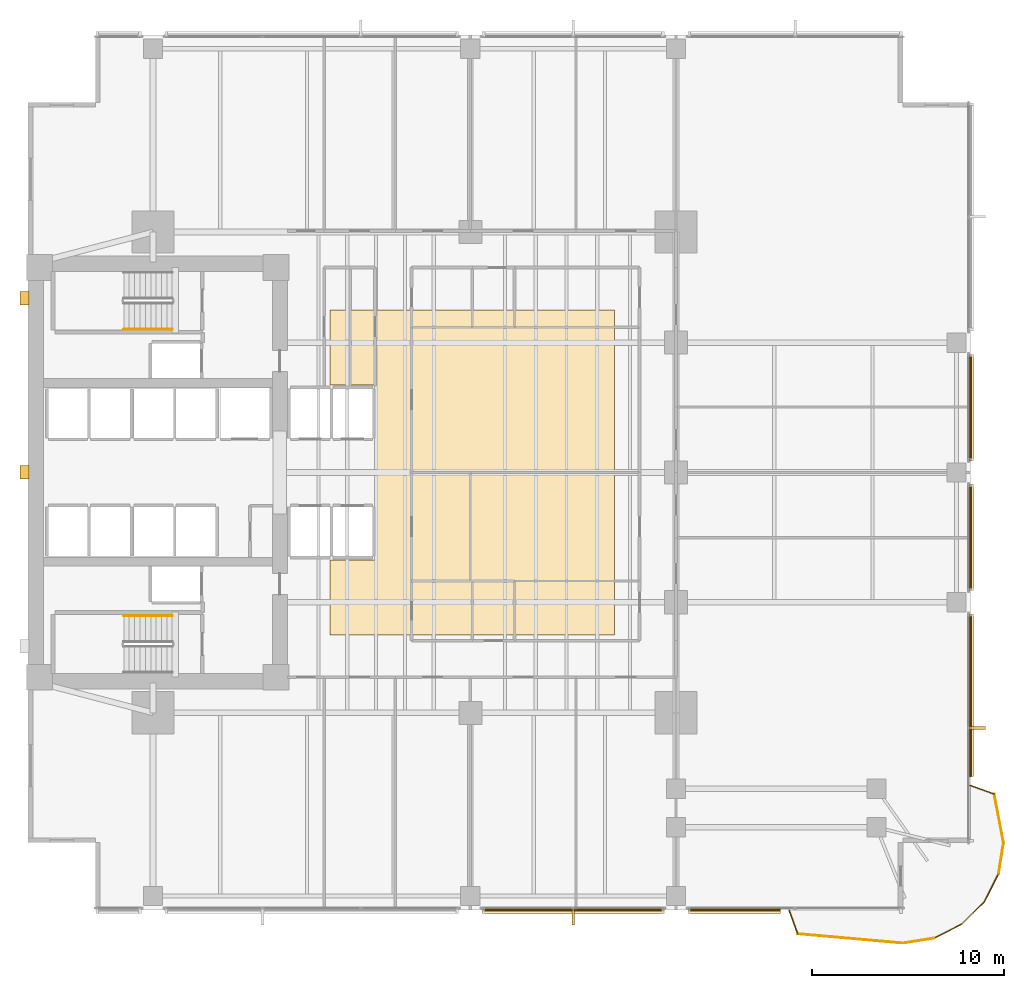
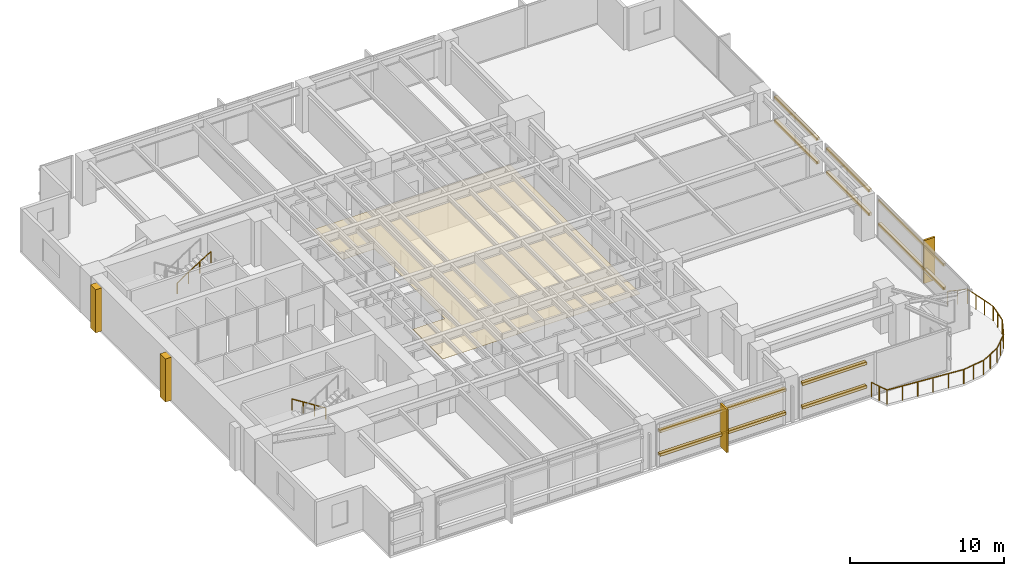
# One storey, part 13 of 15: 15 coverings, 11 railings, 10 shading devices.
"""IFC4 building model written with IfcOpenShell, lengths in metres."""

from ifc_helpers import new_model, si_unit, direction, frame, origin, origin_2d, place, context, subcontext, project, spatial, polyline, rectangle, circle, outline, extrude, material, layer, layer_set, material_profile, profile_set, type_object, element, save


model = new_model("IFC4")

# Units and contexts
model_context = context("Model", 3, precision=1e-05, world=origin(), true_north=direction((0.0, 1.0)))
body_context = subcontext(model_context, "Body", "Model", "MODEL_VIEW")
ifc_project = project(units=[si_unit("LENGTHUNIT", "METRE"), si_unit("AREAUNIT", "SQUARE_METRE"), si_unit("VOLUMEUNIT", "CUBIC_METRE"), si_unit("PLANEANGLEUNIT", "RADIAN"), si_unit("MASSUNIT", "GRAM", prefix="KILO")], contexts=[model_context])

# Site, building, storey
site_placement = place(None, origin())
site = spatial("IfcSite", under=ifc_project, at=site_placement, CompositionType="ELEMENT")
building_placement = place(site_placement, origin())
building = spatial("IfcBuilding", under=site, at=building_placement, Name="Kinhvarn Gate Tower", CompositionType="ELEMENT")
storey_placement = place(building_placement, frame((0.0, 0.0, 57.550048828125)))
storey = spatial("IfcBuildingStorey", under=building, at=storey_placement, Name="L14", CompositionType="ELEMENT", Elevation=57.550048828125)

# Coverings
ifc_material_1 = material(Name="Fired architectural terracotta", Category="masonry")
ifc_layer_1 = layer(ifc_material_1, 0.239990234375)
ifc_layer_set_1 = layer_set([ifc_layer_1], Name="Fired architectural terracotta")
covering_type_1 = type_object("IfcCoveringType", Name="COV-BAG-220", PredefinedType="CLADDING", material=ifc_layer_set_1)
for number, where, name in (
    (1, (0.0, 0.0, 0.93994140625), "Terracotta Horizontal Sunscreen Band TBG-220 (L14)"),
    (2, (0.0, 0.0, 2.81005859375), "Terracotta Horizontal Sunscreen Band TBG-220 (L14)"),
):
    element("IfcCovering", number, at=place(storey_placement, frame(where)), inside=storey, type_object=covering_type_1, Name=name, PredefinedType="CLADDING", context=body_context, shape_type="SweptSolid", body=[
        extrude(outline(polyline([(28.1201171875, 2.56005859375), (37.580078125, 2.56005859375), (37.580078125, 2.320068359375), (28.1201171875, 2.320068359375), (28.1201171875, 2.56005859375)])), origin(), (0.0, 0.0, 1.0), 0.219970703125),
    ])
for number, where, name in (
    (3, (0.0, 0.0, 0.93994140625), "Terracotta Horizontal Sunscreen Band TBG-220 (L14)"),
    (4, (0.0, 0.0, 2.81005859375), "Terracotta Horizontal Sunscreen Band TBG-220 (L14)"),
):
    element("IfcCovering", number, at=place(storey_placement, frame(where)), inside=storey, type_object=covering_type_1, Name=name, PredefinedType="CLADDING", context=body_context, shape_type="SweptSolid", body=[
        extrude(outline(polyline([(38.820068359375, 2.56005859375), (43.623046875, 2.56005859375), (43.623046875, 2.320068359375), (38.820068359375, 2.320068359375), (38.820068359375, 2.56005859375)])), origin(), (0.0, 0.0, 1.0), 0.219970703125),
    ])
for number, where, name in (
    (5, (0.0, 0.0, 0.93994140625), "Terracotta Horizontal Sunscreen Band TBG-220 (L14)"),
    (6, (0.0, 0.0, 2.81005859375), "Terracotta Horizontal Sunscreen Band TBG-220 (L14)"),
):
    element("IfcCovering", number, at=place(storey_placement, frame(where)), inside=storey, type_object=covering_type_1, Name=name, PredefinedType="CLADDING", context=body_context, shape_type="SweptSolid", body=[
        extrude(outline(polyline([(53.43994140625, 9.426025390625), (53.43994140625, 17.8798828125), (53.679931640625, 17.8798828125), (53.679931640625, 9.426025390625), (53.43994140625, 9.426025390625)])), origin(), (0.0, 0.0, 1.0), 0.219970703125),
    ])
for number, where, name in (
    (7, (0.0, 0.0, 0.93994140625), "Terracotta Horizontal Sunscreen Band TBG-220 (L14)"),
    (8, (0.0, 0.0, 2.81005859375), "Terracotta Horizontal Sunscreen Band TBG-220 (L14)"),
):
    element("IfcCovering", number, at=place(storey_placement, frame(where)), inside=storey, type_object=covering_type_1, Name=name, PredefinedType="CLADDING", context=body_context, shape_type="SweptSolid", body=[
        extrude(outline(polyline([(53.43994140625, 19.1201171875), (53.43994140625, 24.6298828125), (53.679931640625, 24.6298828125), (53.679931640625, 19.1201171875), (53.43994140625, 19.1201171875)])), origin(), (0.0, 0.0, 1.0), 0.219970703125),
    ])
for number, where, name in (
    (9, (0.0, 0.0, 0.93994140625), "Terracotta Horizontal Sunscreen Band TBG-220 (L14)"),
    (10, (0.0, 0.0, 2.81005859375), "Terracotta Horizontal Sunscreen Band TBG-220 (L14)"),
):
    element("IfcCovering", number, at=place(storey_placement, frame(where)), inside=storey, type_object=covering_type_1, Name=name, PredefinedType="CLADDING", context=body_context, shape_type="SweptSolid", body=[
        extrude(outline(polyline([(53.43994140625, 25.8701171875), (53.43994140625, 31.3798828125), (53.679931640625, 31.3798828125), (53.679931640625, 25.8701171875), (53.43994140625, 25.8701171875)])), origin(), (0.0, 0.0, 1.0), 0.219970703125),
    ])
ifc_material_2 = material(Name="Mineral-fibre acoustic ceiling tile")
ifc_layer_2 = layer(ifc_material_2, 0.02001953125)
ifc_layer_set_2 = layer_set([ifc_layer_2], Name="Mineral-fibre acoustic ceiling tile")
covering_type_2 = type_object("IfcCoveringType", Name="COV-CEIL-20", PredefinedType="CEILING", material=ifc_layer_set_2)
covering_1_placement = place(storey_placement, frame((0.0, 0.0, 2.64990234375)))
element("IfcCovering", 11, at=covering_1_placement, inside=storey, type_object=covering_type_2, Name="Suspended Acoustic Ceiling Tile (L14-1)", PredefinedType="CEILING", context=body_context, shape_type="SweptSolid", body=[
    extrude(outline(polyline([(35.0, 33.699951171875), (35.0, 16.800048828125), (20.199951171875, 16.800048828125), (20.199951171875, 20.699951171875), (22.60009765625, 20.699951171875), (22.60009765625, 29.800048828125), (20.199951171875, 29.800048828125), (20.199951171875, 33.699951171875), (35.0, 33.699951171875)])), origin(), (0.0, 0.0, 1.0), 0.02001953125),
])
ifc_layer_3 = layer(ifc_material_1, 0.139892578125)
ifc_layer_set_3 = layer_set([ifc_layer_3], Name="Fired architectural terracotta")
covering_type_3 = type_object("IfcCoveringType", Name="COV-FIN-850", PredefinedType="CLADDING", material=ifc_layer_set_3)
covering_2_placement = place(storey_placement, frame((0.0, 0.0, -0.02001953125)))
element("IfcCovering", 12, at=covering_2_placement, inside=storey, type_object=covering_type_3, Name="Vertical Terracotta Expressive Fin TFN-850 (L14)", PredefinedType="CLADDING", context=body_context, shape_type="SweptSolid", body=[
    extrude(outline(polyline([(32.780029296875, 2.570068359375), (32.919921875, 2.570068359375), (32.919921875, 1.719970703125), (32.780029296875, 1.719970703125), (32.780029296875, 2.570068359375)])), origin(), (0.0, 0.0, 1.0), 3.409912109375),
])
covering_3_placement = place(storey_placement, frame((0.0, 0.0, -0.02001953125)))
element("IfcCovering", 13, at=covering_3_placement, inside=storey, type_object=covering_type_3, Name="Vertical Terracotta Expressive Fin TFN-850 (L14)", PredefinedType="CLADDING", context=body_context, shape_type="SweptSolid", body=[
    extrude(outline(polyline([(53.429931640625, 11.889892578125), (53.429931640625, 12.030029296875), (54.280029296875, 12.030029296875), (54.280029296875, 11.889892578125), (53.429931640625, 11.889892578125)])), origin(), (0.0, 0.0, 1.0), 3.409912109375),
])
ifc_material_3 = material(Name="Precast white architectural concrete C40/50", Category="concrete")
ifc_layer_4 = layer(ifc_material_3, 0.47998046875)
ifc_layer_set_4 = layer_set([ifc_layer_4], Name="Precast white architectural concrete C40/50")
covering_type_4 = type_object("IfcCoveringType", Name="COV-RIB-450", PredefinedType="CLADDING", material=ifc_layer_set_4)
covering_4_placement = place(storey_placement, frame((0.0, 0.0, -0.02001953125)))
element("IfcCovering", 14, at=covering_4_placement, inside=storey, type_object=covering_type_4, Name="West Core Sculptural Concrete Relief Rib CRB-450 (L14)", PredefinedType="CLADDING", context=body_context, shape_type="SweptSolid", body=[
    extrude(outline(polyline([(4.080078125, 24.89990234375), (4.56005859375, 24.89990234375), (4.56005859375, 25.60009765625), (4.080078125, 25.60009765625), (4.080078125, 24.89990234375)])), origin(), (0.0, 0.0, 1.0), 3.409912109375),
])
covering_5_placement = place(storey_placement, frame((0.0, 0.0, -0.02001953125)))
element("IfcCovering", 15, at=covering_5_placement, inside=storey, type_object=covering_type_4, Name="West Core Sculptural Concrete Relief Rib CRB-450 (L14)", PredefinedType="CLADDING", context=body_context, shape_type="SweptSolid", body=[
    extrude(outline(polyline([(4.080078125, 33.949951171875), (4.56005859375, 33.949951171875), (4.56005859375, 34.64990234375), (4.080078125, 34.64990234375), (4.080078125, 33.949951171875)])), origin(), (0.0, 0.0, 1.0), 3.409912109375),
])

# Railings
ifc_material_4 = material(Name="Clear low-e double glazing", Category="glass")
railing_type_1 = type_object("IfcRailingType", Name="RL-BAL-1150", PredefinedType="BALUSTRADE", material=ifc_material_4)
railing_1_placement = place(storey_placement, frame((44.072998046875, 2.5, 0.0)))
element("IfcRailing", 16, at=railing_1_placement, inside=storey, type_object=railing_type_1, Name="S-Carve Balcony Guardrail Seg 1 (L14)", PredefinedType="BALUSTRADE", context=body_context, shape_type="SweptSolid", body=[
    extrude(circle(Radius=0.02392578125, at=origin_2d()), frame((0.0, 0.0, 1.1259765625), z_axis=(0.339744120331, -0.940517906635, 0.0), x_axis=(0.940517906635, 0.339744120331, 0.0)), (0.0, 0.0, 1.0), 1.324462890625),
    extrude(circle(Radius=0.02099609375, at=origin_2d()), origin(), (0.0, 0.0, 1.0), 1.101806640625),
    extrude(circle(Radius=0.02099609375, at=origin_2d()), frame((0.22509765625, -0.622802734375, 0.0)), (0.0, 0.0, 1.0), 1.101806640625),
    extrude(circle(Radius=0.02099609375, at=origin_2d()), frame((0.449951171875, -1.24560546875, 0.0)), (0.0, 0.0, 1.0), 1.101806640625),
])
railing_2_placement = place(storey_placement, frame((44.52294921875, 1.25439453125, 0.0)))
element("IfcRailing", 17, at=railing_2_placement, inside=storey, type_object=railing_type_1, Name="S-Carve Balcony Guardrail Seg 2 (L14)", PredefinedType="BALUSTRADE", context=body_context, shape_type="SweptSolid", body=[
    extrude(circle(Radius=0.02392578125, at=origin_2d()), frame((0.0, 0.0, 1.1259765625), z_axis=(0.996112221729, -0.088093369346, 0.0), x_axis=(0.088093369346, 0.996112221729, 0.0)), (0.0, 0.0, 1.0), 5.49853515625),
    extrude(circle(Radius=0.02099609375, at=origin_2d()), origin(), (0.0, 0.0, 1.0), 1.101806640625),
    extrude(circle(Radius=0.02099609375, at=origin_2d()), frame((1.095458984375, -0.096923828125, 0.0)), (0.0, 0.0, 1.0), 1.101806640625),
    extrude(circle(Radius=0.02099609375, at=origin_2d()), frame((2.19091796875, -0.19384765625, 0.0)), (0.0, 0.0, 1.0), 1.101806640625),
    extrude(circle(Radius=0.02099609375, at=origin_2d()), frame((3.2861328125, -0.29052734375, 0.0)), (0.0, 0.0, 1.0), 1.101806640625),
    extrude(circle(Radius=0.02099609375, at=origin_2d()), frame((4.381591796875, -0.387451171875, 0.0)), (0.0, 0.0, 1.0), 1.101806640625),
    extrude(circle(Radius=0.02099609375, at=origin_2d()), frame((5.47705078125, -0.484375, 0.0)), (0.0, 0.0, 1.0), 1.101806640625),
])
railing_3_placement = place(storey_placement, frame((50.0, 0.77001953125, 0.0)))
element("IfcRailing", 18, at=railing_3_placement, inside=storey, type_object=railing_type_1, Name="S-Carve Balcony Guardrail Seg 3 (L14)", PredefinedType="BALUSTRADE", context=body_context, shape_type="SweptSolid", body=[
    extrude(circle(Radius=0.02392578125, at=origin_2d()), frame((0.0, 0.0, 1.1259765625), z_axis=(0.987699979294, 0.156360963489, 0.0), x_axis=(-0.156360963489, 0.987699979294, 0.0)), (0.0, 0.0, 1.0), 1.63623046875),
    extrude(circle(Radius=0.02099609375, at=origin_2d()), origin(), (0.0, 0.0, 1.0), 1.101806640625),
    extrude(circle(Radius=0.02099609375, at=origin_2d()), frame((0.80810546875, 0.1279296875, 0.0)), (0.0, 0.0, 1.0), 1.101806640625),
    extrude(circle(Radius=0.02099609375, at=origin_2d()), frame((1.6162109375, 0.255859375, 0.0)), (0.0, 0.0, 1.0), 1.101806640625),
])
railing_4_placement = place(storey_placement, frame((51.6162109375, 1.02587890625, 0.0)))
element("IfcRailing", 19, at=railing_4_placement, inside=storey, type_object=railing_type_1, Name="S-Carve Balcony Guardrail Seg 4 (L14)", PredefinedType="BALUSTRADE", context=body_context, shape_type="SweptSolid", body=[
    extrude(circle(Radius=0.02392578125, at=origin_2d()), frame((0.0, 0.0, 1.1259765625), z_axis=(0.890999643115, 0.454004004353, 0.0), x_axis=(-0.454004004353, 0.890999643115, 0.0)), (0.0, 0.0, 1.0), 1.636474609375),
    extrude(circle(Radius=0.02099609375, at=origin_2d()), origin(), (0.0, 0.0, 1.0), 1.101806640625),
    extrude(circle(Radius=0.02099609375, at=origin_2d()), frame((0.72900390625, 0.37158203125, 0.0)), (0.0, 0.0, 1.0), 1.101806640625),
    extrude(circle(Radius=0.02099609375, at=origin_2d()), frame((1.4580078125, 0.742919921875, 0.0)), (0.0, 0.0, 1.0), 1.101806640625),
])
railing_5_placement = place(storey_placement, frame((53.07421875, 1.768798828125, 0.0)))
element("IfcRailing", 20, at=railing_5_placement, inside=storey, type_object=railing_type_1, Name="S-Carve Balcony Guardrail Seg 5 (L14)", PredefinedType="BALUSTRADE", context=body_context, shape_type="SweptSolid", body=[
    extrude(circle(Radius=0.02392578125, at=origin_2d()), frame((0.0, 0.0, 1.1259765625), z_axis=(0.707106781187, 0.707106781187, 0.0), x_axis=(-0.707106781187, 0.707106781187, 0.0)), (0.0, 0.0, 1.0), 1.63623046875),
    extrude(circle(Radius=0.02099609375, at=origin_2d()), origin(), (0.0, 0.0, 1.0), 1.101806640625),
    extrude(circle(Radius=0.02099609375, at=origin_2d()), frame((0.57861328125, 0.57861328125, 0.0)), (0.0, 0.0, 1.0), 1.101806640625),
    extrude(circle(Radius=0.02099609375, at=origin_2d()), frame((1.156982421875, 1.156982421875, 0.0)), (0.0, 0.0, 1.0), 1.101806640625),
])
railing_6_placement = place(storey_placement, frame((54.231201171875, 2.92578125, 0.0)))
element("IfcRailing", 21, at=railing_6_placement, inside=storey, type_object=railing_type_1, Name="S-Carve Balcony Guardrail Seg 6 (L14)", PredefinedType="BALUSTRADE", context=body_context, shape_type="SweptSolid", body=[
    extrude(circle(Radius=0.02392578125, at=origin_2d()), frame((0.0, 0.0, 1.1259765625), z_axis=(0.454004004353, 0.890999643115, 0.0), x_axis=(-0.890999643115, 0.454004004353, 0.0)), (0.0, 0.0, 1.0), 1.636474609375),
    extrude(circle(Radius=0.02099609375, at=origin_2d()), origin(), (0.0, 0.0, 1.0), 1.101806640625),
    extrude(circle(Radius=0.02099609375, at=origin_2d()), frame((0.37158203125, 0.72900390625, 0.0)), (0.0, 0.0, 1.0), 1.101806640625),
    extrude(circle(Radius=0.02099609375, at=origin_2d()), frame((0.742919921875, 1.4580078125, 0.0)), (0.0, 0.0, 1.0), 1.101806640625),
])
railing_7_placement = place(storey_placement, frame((54.97412109375, 4.3837890625, 0.0)))
element("IfcRailing", 22, at=railing_7_placement, inside=storey, type_object=railing_type_1, Name="S-Carve Balcony Guardrail Seg 7 (L14)", PredefinedType="BALUSTRADE", context=body_context, shape_type="SweptSolid", body=[
    extrude(circle(Radius=0.02392578125, at=origin_2d()), frame((0.0, 0.0, 1.1259765625), z_axis=(0.156360963489, 0.987699979294, 0.0), x_axis=(-0.987699979294, 0.156360963489, 0.0)), (0.0, 0.0, 1.0), 1.63623046875),
    extrude(circle(Radius=0.02099609375, at=origin_2d()), origin(), (0.0, 0.0, 1.0), 1.101806640625),
    extrude(circle(Radius=0.02099609375, at=origin_2d()), frame((0.1279296875, 0.80810546875, 0.0)), (0.0, 0.0, 1.0), 1.101806640625),
    extrude(circle(Radius=0.02099609375, at=origin_2d()), frame((0.255859375, 1.6162109375, 0.0)), (0.0, 0.0, 1.0), 1.101806640625),
])
railing_8_placement = place(storey_placement, frame((55.22998046875, 6.0, 0.0)))
element("IfcRailing", 23, at=railing_8_placement, inside=storey, type_object=railing_type_1, Name="S-Carve Balcony Guardrail Seg 8 (L14)", PredefinedType="BALUSTRADE", context=body_context, shape_type="SweptSolid", body=[
    extrude(circle(Radius=0.02392578125, at=origin_2d()), frame((0.0, 0.0, 1.1259765625), z_axis=(-0.188333331574, 0.982105165559, 0.0), x_axis=(-0.982105165559, -0.188333331574, 0.0)), (0.0, 0.0, 1.0), 2.572021484375),
    extrude(circle(Radius=0.02099609375, at=origin_2d()), origin(), (0.0, 0.0, 1.0), 1.101806640625),
    extrude(circle(Radius=0.02099609375, at=origin_2d()), frame((-0.161376953125, 0.842041015625, 0.0)), (0.0, 0.0, 1.0), 1.101806640625),
    extrude(circle(Radius=0.02099609375, at=origin_2d()), frame((-0.322998046875, 1.683837890625, 0.0)), (0.0, 0.0, 1.0), 1.101806640625),
    extrude(circle(Radius=0.02099609375, at=origin_2d()), frame((-0.484375, 2.52587890625, 0.0)), (0.0, 0.0, 1.0), 1.101806640625),
])
railing_9_placement = place(storey_placement, frame((54.74560546875, 8.52587890625, 0.0)))
element("IfcRailing", 24, at=railing_9_placement, inside=storey, type_object=railing_type_1, Name="S-Carve Balcony Guardrail Seg 9 (L14)", PredefinedType="BALUSTRADE", context=body_context, shape_type="SweptSolid", body=[
    extrude(circle(Radius=0.02392578125, at=origin_2d()), frame((0.0, 0.0, 1.1259765625), z_axis=(-0.940458992076, 0.339907170009, 0.0), x_axis=(-0.339907170009, -0.940458992076, 0.0)), (0.0, 0.0, 1.0), 1.324462890625),
    extrude(circle(Radius=0.02099609375, at=origin_2d()), origin(), (0.0, 0.0, 1.0), 1.101806640625),
    extrude(circle(Radius=0.02099609375, at=origin_2d()), frame((-0.622802734375, 0.22509765625, 0.0)), (0.0, 0.0, 1.0), 1.101806640625),
    extrude(circle(Radius=0.02099609375, at=origin_2d()), frame((-1.24560546875, 0.4501953125, 0.0)), (0.0, 0.0, 1.0), 1.101806640625),
])
ifc_material_5 = material(Name="Steel S355", Category="steel")
railing_type_2 = type_object("IfcRailingType", Name="RL-ST-HND", PredefinedType="HANDRAIL", material=ifc_material_5)
railing_10_placement = place(storey_placement, frame((12.0, 17.800048828125, 0.177490234375)))
element("IfcRailing", 25, at=railing_10_placement, inside=storey, type_object=railing_type_2, Name="L14 ST1 stair handrail 1", PredefinedType="HANDRAIL", context=body_context, shape_type="SweptSolid", body=[
    extrude(circle(Radius=0.02392578125, at=origin_2d()), frame((0.0, 0.0, 0.8759765625), z_axis=(-0.84460694969, 0.0, 0.535386869969), x_axis=(0.0, -1.0, 0.0)), (0.0, 0.0, 1.0), 2.983642578125),
    extrude(circle(Radius=0.02099609375, at=origin_2d()), origin(), (0.0, 0.0, 1.0), 0.851806640625),
    extrude(circle(Radius=0.02099609375, at=origin_2d()), frame((-0.840087890625, 0.0, 0.532470703125)), (0.0, 0.0, 1.0), 0.851806640625),
    extrude(circle(Radius=0.02099609375, at=origin_2d()), frame((-1.679931640625, 0.0, 1.06494140625)), (0.0, 0.0, 1.0), 0.851806640625),
    extrude(circle(Radius=0.02099609375, at=origin_2d()), frame((-2.52001953125, 0.0, 1.597412109375)), (0.0, 0.0, 1.0), 0.851806640625),
])
railing_11_placement = place(storey_placement, frame((9.47998046875, 32.699951171875, 1.952392578125)))
element("IfcRailing", 26, at=railing_11_placement, inside=storey, type_object=railing_type_2, Name="L14 ST2 stair handrail 2", PredefinedType="HANDRAIL", context=body_context, shape_type="SweptSolid", body=[
    extrude(circle(Radius=0.02392578125, at=origin_2d()), frame((0.0, 0.0, 0.8759765625), z_axis=(0.84456994832, 0.0, 0.535445237532), x_axis=(0.0, 1.0, 0.0)), (0.0, 0.0, 1.0), 2.98388671875),
    extrude(circle(Radius=0.02099609375, at=origin_2d()), origin(), (0.0, 0.0, 1.0), 0.851806640625),
    extrude(circle(Radius=0.02099609375, at=origin_2d()), frame((0.840087890625, 0.0, 0.532470703125)), (0.0, 0.0, 1.0), 0.851806640625),
    extrude(circle(Radius=0.02099609375, at=origin_2d()), frame((1.679931640625, 0.0, 1.065185546875)), (0.0, 0.0, 1.0), 0.851806640625),
    extrude(circle(Radius=0.02099609375, at=origin_2d()), frame((2.52001953125, 0.0, 1.59765625)), (0.0, 0.0, 1.0), 0.851806640625),
])

# Shading devices
ifc_material_profile = material_profile(ifc_material_1, rectangle(XDim=0.06005859375, YDim=0.139892578125, at=origin_2d()), Name="TC 60x140")
ifc_profile_set = profile_set([ifc_material_profile], Name="Fired architectural terracotta")
shading_device_type = type_object("IfcShadingDeviceType", Name="SHD-BAG-180", PredefinedType="USERDEFINED", material=ifc_profile_set)
for number, where, z_axis, x_axis, name in (
    (27, (28.1201171875, 2.485107421875, 1.050048828125), (1.0, 0.0, 0.0), (0.0, 1.0, 0.0), "Fired Terracotta Baguette Screen Rod 60x140 mm (L14)"),
    (28, (28.1201171875, 2.485107421875, 2.919921875), (1.0, 0.0, 0.0), (0.0, 1.0, 0.0), "Fired Terracotta Baguette Screen Rod 60x140 mm (L14)"),
):
    element("IfcShadingDevice", number, at=place(storey_placement, frame(where, z_axis=z_axis, x_axis=x_axis)), inside=storey, type_object=shading_device_type, Name=name, ObjectType="BAGUETTE", PredefinedType="USERDEFINED", context=body_context, shape_type="SweptSolid", body=[
        extrude(rectangle(XDim=0.06005859375, YDim=0.139892578125, at=origin_2d()), origin(), (0.0, 0.0, 1.0), 9.4599609375),
    ])
for number, where, z_axis, x_axis, name in (
    (29, (38.820068359375, 2.485107421875, 1.050048828125), (1.0, 0.0, 0.0), (0.0, 1.0, 0.0), "Fired Terracotta Baguette Screen Rod 60x140 mm (L14)"),
    (30, (38.820068359375, 2.485107421875, 2.919921875), (1.0, 0.0, 0.0), (0.0, 1.0, 0.0), "Fired Terracotta Baguette Screen Rod 60x140 mm (L14)"),
):
    element("IfcShadingDevice", number, at=place(storey_placement, frame(where, z_axis=z_axis, x_axis=x_axis)), inside=storey, type_object=shading_device_type, Name=name, ObjectType="BAGUETTE", PredefinedType="USERDEFINED", context=body_context, shape_type="SweptSolid", body=[
        extrude(rectangle(XDim=0.06005859375, YDim=0.139892578125, at=origin_2d()), origin(), (0.0, 0.0, 1.0), 4.802978515625),
    ])
for number, where, z_axis, x_axis, name in (
    (31, (53.514892578125, 9.426025390625, 1.050048828125), (0.0, 1.0, 0.0), (-1.0, 0.0, 0.0), "Fired Terracotta Baguette Screen Rod 60x140 mm (L14)"),
    (32, (53.514892578125, 9.426025390625, 2.919921875), (0.0, 1.0, 0.0), (-1.0, 0.0, 0.0), "Fired Terracotta Baguette Screen Rod 60x140 mm (L14)"),
):
    element("IfcShadingDevice", number, at=place(storey_placement, frame(where, z_axis=z_axis, x_axis=x_axis)), inside=storey, type_object=shading_device_type, Name=name, ObjectType="BAGUETTE", PredefinedType="USERDEFINED", context=body_context, shape_type="SweptSolid", body=[
        extrude(rectangle(XDim=0.06005859375, YDim=0.139892578125, at=origin_2d()), origin(), (0.0, 0.0, 1.0), 8.453857421875),
    ])
for number, where, z_axis, x_axis, name in (
    (33, (53.514892578125, 19.1201171875, 1.050048828125), (0.0, 1.0, 0.0), (-1.0, 0.0, 0.0), "Fired Terracotta Baguette Screen Rod 60x140 mm (L14)"),
    (34, (53.514892578125, 19.1201171875, 2.919921875), (0.0, 1.0, 0.0), (-1.0, 0.0, 0.0), "Fired Terracotta Baguette Screen Rod 60x140 mm (L14)"),
    (35, (53.514892578125, 25.8701171875, 1.050048828125), (0.0, 1.0, 0.0), (-1.0, 0.0, 0.0), "Fired Terracotta Baguette Screen Rod 60x140 mm (L14)"),
    (36, (53.514892578125, 25.8701171875, 2.919921875), (0.0, 1.0, 0.0), (-1.0, 0.0, 0.0), "Fired Terracotta Baguette Screen Rod 60x140 mm (L14)"),
):
    element("IfcShadingDevice", number, at=place(storey_placement, frame(where, z_axis=z_axis, x_axis=x_axis)), inside=storey, type_object=shading_device_type, Name=name, ObjectType="BAGUETTE", PredefinedType="USERDEFINED", context=body_context, shape_type="SweptSolid", body=[
        extrude(rectangle(XDim=0.06005859375, YDim=0.139892578125, at=origin_2d()), origin(), (0.0, 0.0, 1.0), 5.509765625),
    ])

save(model, "model.ifc")
